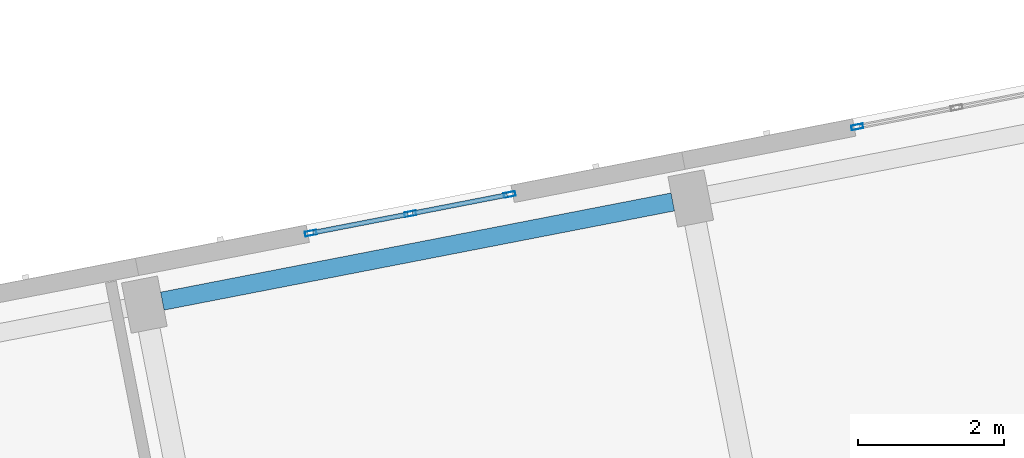
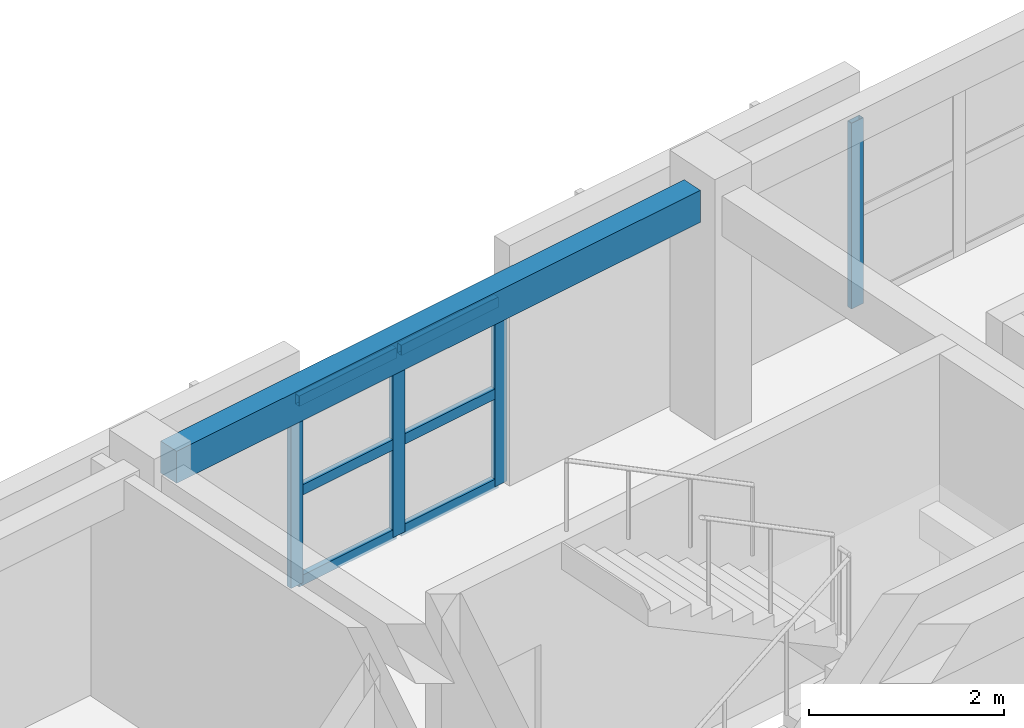
# One storey, part 9 of 66: 10 members, 1 beam, 2 elements without a shape of their own.
"""IFC4 building model written with IfcOpenShell, lengths in metres."""

from ifc_helpers import new_model, si_unit, direction, frame, origin, origin_2d, place, context, subcontext, project, spatial, rectangle, hollow_rectangle, extrude, material, material_profile, profile_set, type_object, element, aggregate, save


model = new_model("IFC4")

# Units and contexts
model_context = context("Model", 3, precision=1e-05, world=origin(), true_north=direction((0.0, 1.0)))
body_context = subcontext(model_context, "Body", "Model", "MODEL_VIEW")
ifc_project = project(units=[si_unit("LENGTHUNIT", "METRE"), si_unit("AREAUNIT", "SQUARE_METRE"), si_unit("VOLUMEUNIT", "CUBIC_METRE"), si_unit("PLANEANGLEUNIT", "RADIAN"), si_unit("MASSUNIT", "GRAM", prefix="KILO")], contexts=[model_context])

# Site, building, storey
site_placement = place(None, origin())
site = spatial("IfcSite", under=ifc_project, at=site_placement, CompositionType="ELEMENT")
building_placement = place(site_placement, origin())
building = spatial("IfcBuilding", under=site, at=building_placement, Name="Kestramere Prow Commons", CompositionType="ELEMENT")
storey_placement = place(building_placement, frame((0.0, 0.0, 14.89990234375)))
storey = spatial("IfcBuildingStorey", under=building, at=storey_placement, Name="L04", CompositionType="ELEMENT", Elevation=14.89990234375)

# Curtain wall, members
ifc_material_1 = material(Name="Anodised Aluminium and Low-E Glass", Category="aluminium")
curtain_wall_type = type_object("IfcCurtainWallType", Name="CW-03 Glazed Curtain Wall 2830x2320", PredefinedType="USERDEFINED", material=ifc_material_1)
curtain_wall_1_placement = place(storey_placement, origin())
curtain_wall_1 = element("IfcCurtainWall", 1, at=curtain_wall_1_placement, inside=storey, type_object=curtain_wall_type, Name="Block D L04 Stairwell Vertical Glazing 4", ObjectType="GLAZED CURTAIN WALL", PredefinedType="USERDEFINED")
ifc_material_2 = material(Name="Anodised Aluminium 6063-T6", Category="aluminium")
ifc_material_profile_1 = material_profile(ifc_material_2, hollow_rectangle(XDim=0.06494140625, YDim=0.159912109375, WallThickness=0.00390625, at=origin_2d()), Name="ALU-MUL 65x160")
ifc_profile_set_1 = profile_set([ifc_material_profile_1], Name="Anodised Aluminium 6063-T6")
member_type_1 = type_object("IfcMemberType", Name="CW-MUL-65x160", PredefinedType="MULLION", material=ifc_profile_set_1)
member_1_placement = place(storey_placement, frame((139.314208984375, 58.56689453125, 0.0), z_axis=(0.0, 0.0, 1.0), x_axis=(-0.190808835118, 0.981627214599, 0.0)))
member_1 = element("IfcMember", 2, at=member_1_placement, type_object=member_type_1, Name="CW-03 mullion 1", PredefinedType="MULLION", context=body_context, shape_type="SweptSolid", body=[
    extrude(hollow_rectangle(XDim=0.06494140625, YDim=0.159912109375, WallThickness=0.00390625, at=origin_2d()), origin(), (0.0, 0.0, 1.0), 2.320068359375),
])
member_2_placement = place(storey_placement, frame((140.671142578125, 58.830810546875, 0.0), z_axis=(0.0, 0.0, 1.0), x_axis=(-0.190808835118, 0.981627214599, 0.0)))
member_2 = element("IfcMember", 3, at=member_2_placement, type_object=member_type_1, Name="CW-03 mullion 2", PredefinedType="MULLION", context=body_context, shape_type="SweptSolid", body=[
    extrude(hollow_rectangle(XDim=0.06494140625, YDim=0.159912109375, WallThickness=0.00390625, at=origin_2d()), origin(), (0.0, 0.0, 1.0), 2.320068359375),
])
member_3_placement = place(storey_placement, frame((142.0283203125, 59.094482421875, 0.0), z_axis=(0.0, 0.0, 1.0), x_axis=(-0.190808835118, 0.981627214599, 0.0)))
member_3 = element("IfcMember", 4, at=member_3_placement, type_object=member_type_1, Name="CW-03 mullion 3", PredefinedType="MULLION", context=body_context, shape_type="SweptSolid", body=[
    extrude(hollow_rectangle(XDim=0.06494140625, YDim=0.159912109375, WallThickness=0.00390625, at=origin_2d()), origin(), (0.0, 0.0, 1.0), 2.320068359375),
])

# Curtain wall, member
curtain_wall_2_placement = place(storey_placement, origin())
curtain_wall_2 = element("IfcCurtainWall", 5, at=curtain_wall_2_placement, inside=storey, type_object=curtain_wall_type, Name="Block D L04 Stairwell Vertical Glazing 5", ObjectType="GLAZED CURTAIN WALL", PredefinedType="USERDEFINED")
member_4_placement = place(storey_placement, frame((146.7744140625, 60.01708984375, 0.0), z_axis=(0.0, 0.0, 1.0), x_axis=(-0.190808835118, 0.981627214599, 0.0)))
member_4 = element("IfcMember", 6, at=member_4_placement, type_object=member_type_1, Name="CW-03 mullion 1", PredefinedType="MULLION", context=body_context, shape_type="SweptSolid", body=[
    extrude(hollow_rectangle(XDim=0.06494140625, YDim=0.159912109375, WallThickness=0.00390625, at=origin_2d()), origin(), (0.0, 0.0, 1.0), 2.320068359375),
])
aggregate(curtain_wall_2, [member_4])

# Member
ifc_material_profile_2 = material_profile(ifc_material_2, hollow_rectangle(XDim=0.06494140625, YDim=0.1298828125, WallThickness=0.00390625, at=origin_2d()), Name="ALU-TRN 65x130")
ifc_profile_set_2 = profile_set([ifc_material_profile_2], Name="Anodised Aluminium 6063-T6")
member_type_2 = type_object("IfcMemberType", Name="CW-TRN-65x130", PredefinedType="USERDEFINED", material=ifc_profile_set_2)
member_5_placement = place(storey_placement, frame((139.345947265625, 58.5732421875, 0.03271484375), z_axis=(0.981655869186, 0.190661360776, 0.0), x_axis=(-0.190661360776, 0.981655869186, 0.0)))
member_5 = element("IfcMember", 7, at=member_5_placement, type_object=member_type_2, Name="CW-03 transom 1.1", ObjectType="TRANSOM", PredefinedType="USERDEFINED", context=body_context, shape_type="SweptSolid", body=[
    extrude(hollow_rectangle(XDim=0.06494140625, YDim=0.1298828125, WallThickness=0.00390625, at=origin_2d()), origin(), (0.0, 0.0, 1.0), 1.317626953125),
])

member_6_placement = place(storey_placement, frame((139.345947265625, 58.5732421875, 1.16015625), z_axis=(0.981655869186, 0.190661360776, 0.0), x_axis=(-0.190661360776, 0.981655869186, 0.0)))
member_6 = element("IfcMember", 8, at=member_6_placement, type_object=member_type_2, Name="CW-03 transom 1.2", ObjectType="TRANSOM", PredefinedType="USERDEFINED", context=body_context, shape_type="SweptSolid", body=[
    extrude(hollow_rectangle(XDim=0.06494140625, YDim=0.1298828125, WallThickness=0.00390625, at=origin_2d()), origin(), (0.0, 0.0, 1.0), 1.317626953125),
])

member_7_placement = place(storey_placement, frame((139.345947265625, 58.5732421875, 2.28759765625), z_axis=(0.981655869186, 0.190661360776, 0.0), x_axis=(-0.190661360776, 0.981655869186, 0.0)))
member_7 = element("IfcMember", 9, at=member_7_placement, type_object=member_type_2, Name="CW-03 transom 1.3", ObjectType="TRANSOM", PredefinedType="USERDEFINED", context=body_context, shape_type="SweptSolid", body=[
    extrude(hollow_rectangle(XDim=0.06494140625, YDim=0.1298828125, WallThickness=0.00390625, at=origin_2d()), origin(), (0.0, 0.0, 1.0), 1.317626953125),
])

member_8_placement = place(storey_placement, frame((140.703125, 58.8369140625, 0.03271484375), z_axis=(0.981614425191, 0.190874619208, 0.0), x_axis=(-0.190874619208, 0.981614425191, 0.0)))
member_8 = element("IfcMember", 10, at=member_8_placement, type_object=member_type_2, Name="CW-03 transom 2.1", ObjectType="TRANSOM", PredefinedType="USERDEFINED", context=body_context, shape_type="SweptSolid", body=[
    extrude(hollow_rectangle(XDim=0.06494140625, YDim=0.1298828125, WallThickness=0.00390625, at=origin_2d()), origin(), (0.0, 0.0, 1.0), 1.3173828125),
])

member_9_placement = place(storey_placement, frame((140.703125, 58.8369140625, 1.16015625), z_axis=(0.981614425191, 0.190874619208, 0.0), x_axis=(-0.190874619208, 0.981614425191, 0.0)))
member_9 = element("IfcMember", 11, at=member_9_placement, type_object=member_type_2, Name="CW-03 transom 2.2", ObjectType="TRANSOM", PredefinedType="USERDEFINED", context=body_context, shape_type="SweptSolid", body=[
    extrude(hollow_rectangle(XDim=0.06494140625, YDim=0.1298828125, WallThickness=0.00390625, at=origin_2d()), origin(), (0.0, 0.0, 1.0), 1.3173828125),
])

member_10_placement = place(storey_placement, frame((140.703125, 58.8369140625, 2.28759765625), z_axis=(0.981614425191, 0.190874619208, 0.0), x_axis=(-0.190874619208, 0.981614425191, 0.0)))
member_10 = element("IfcMember", 12, at=member_10_placement, type_object=member_type_2, Name="CW-03 transom 2.3", ObjectType="TRANSOM", PredefinedType="USERDEFINED", context=body_context, shape_type="SweptSolid", body=[
    extrude(hollow_rectangle(XDim=0.06494140625, YDim=0.1298828125, WallThickness=0.00390625, at=origin_2d()), origin(), (0.0, 0.0, 1.0), 1.3173828125),
])

aggregate(curtain_wall_1, [member_1, member_2, member_3, member_5, member_6, member_7, member_8, member_9, member_10])

# Beam
ifc_material_3 = material(Name="Precast concrete C40/50", Category="concrete")
ifc_material_profile_3 = material_profile(ifc_material_3, rectangle(XDim=0.25, YDim=0.39990234375, at=origin_2d()), Name="PC-SP 250x400")
ifc_profile_set_3 = profile_set([ifc_material_profile_3], Name="Precast concrete C40/50")
beam_type = type_object("IfcBeamType", Name="SP-EXT-01 PC-SP 250x400", PredefinedType="SPANDREL", material=ifc_profile_set_3)
beam_placement = place(storey_placement, frame((137.28662109375, 57.637939453125, 2.800048828125), z_axis=(0.981627020401, 0.190809834175, 0.0), x_axis=(-0.190809834175, 0.981627020401, 0.0)))
element("IfcBeam", 13, at=beam_placement, inside=storey, type_object=beam_type, Name="Block D L04 Longitudinal Beam 4-4", PredefinedType="SPANDREL", context=body_context, shape_type="SweptSolid", body=[
    extrude(rectangle(XDim=0.25, YDim=0.39990234375, at=origin_2d()), origin(), (0.0, 0.0, 1.0), 7.099853515625),
])

save(model, "model.ifc")
